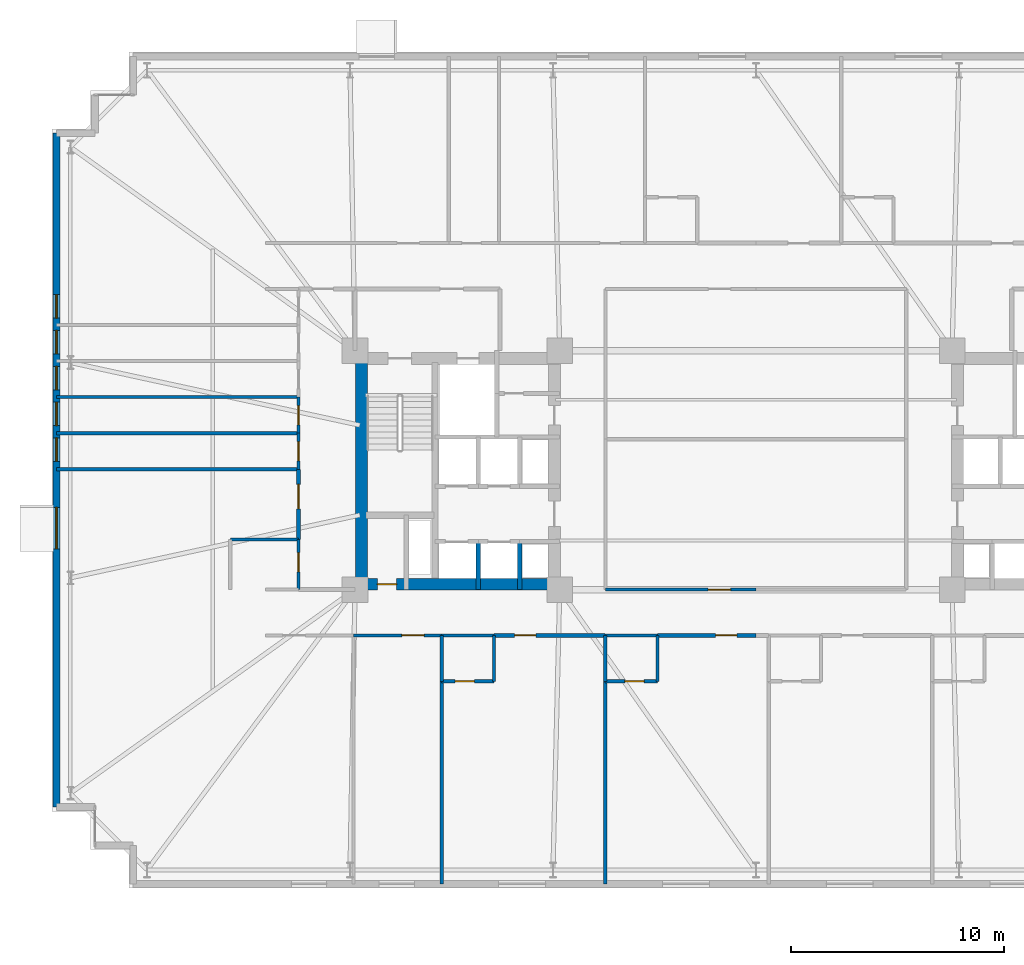
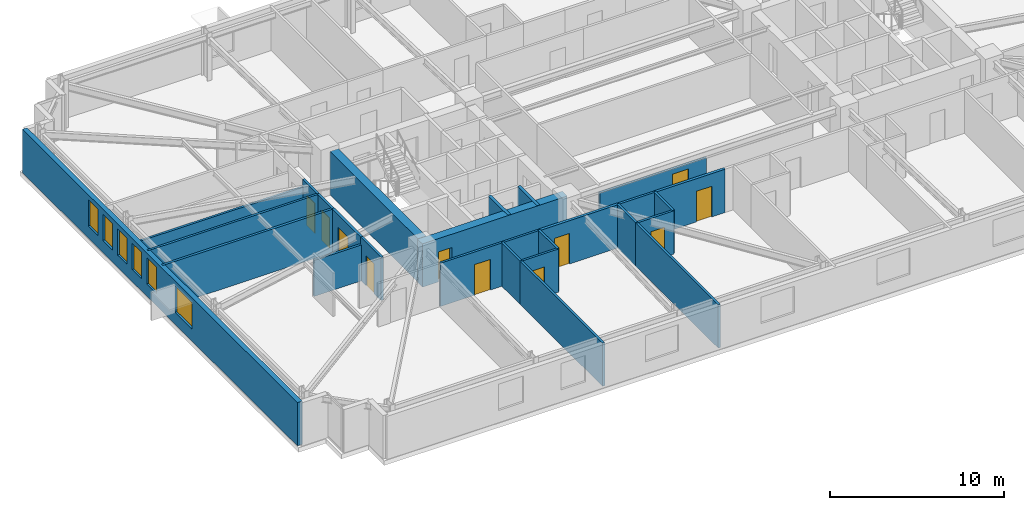
# One storey, part 14 of 21: 27 walls, 11 doors, 6 windows, 17 openings.
"""IFC4 building model written with IfcOpenShell, lengths in metres."""

import ifcopenshell
import ifcopenshell.guid

model = None  # the IFC model being written
_history = None  # IfcOwnerHistory: only IFC2X3 demands one
_inside = {}  # id of a spatial element -> (the spatial element, [elements in it])
_under = {}  # id of a project, library or spatial element -> (it, [spatial elements below it])
_declared = {}  # id of a project -> (the project, [libraries it declares])
_typed = {}  # id of a type object -> (the type object, [elements of that type])
_made_of = {}  # id of a material, layer set ... -> (it, [elements and type objects made of it])


def new_model(schema):
    """Start an empty IFC model of exactly this schema.

    Asked for "IFC4X3", IfcOpenShell would pick the latest addendum, in which some entities
    have other attributes; the version numbers below select the first issue.
    IFC2X3 requires an IfcOwnerHistory on every rooted entity: one is made here for all.
    """
    global model, _history
    if schema == "IFC4X3":
        model = ifcopenshell.file(schema_version=(4, 3, 0, 0))
    else:
        model = ifcopenshell.file(schema=schema)
    _inside.clear()
    _under.clear()
    _declared.clear()
    _typed.clear()
    _made_of.clear()
    _history = None
    if model.schema == "IFC2X3":
        org = make("IfcOrganization", Name="unknown")
        user = make(
            "IfcPersonAndOrganization",
            ThePerson=make("IfcPerson", FamilyName="unknown"),
            TheOrganization=org,
        )
        app = make(
            "IfcApplication",
            ApplicationDeveloper=org,
            Version="unknown",
            ApplicationFullName="unknown",
            ApplicationIdentifier="unknown",
        )
        _history = make(
            "IfcOwnerHistory",
            OwningUser=user,
            OwningApplication=app,
            ChangeAction="ADDED",
            CreationDate=0,
        )
    return model


def make(cls, **values):
    """One entity of the class cls with the attributes given. An attribute that is None is left unset."""
    return model.create_entity(
        cls, **{name: value for name, value in values.items() if value is not None}
    )


def rooted(cls, **values):
    """An entity with a GlobalId (a new one), such as an element, a storey or a relation."""
    return make(cls, GlobalId=ifcopenshell.guid.new(), OwnerHistory=_history, **values)


def si_unit(unit_type, name, prefix=None):
    """IfcSIUnit, for example si_unit("LENGTHUNIT", "METRE", prefix="MILLI")."""
    return make("IfcSIUnit", UnitType=unit_type, Prefix=prefix, Name=name)


def assignment(units):
    """IfcUnitAssignment: the units of a project."""
    return None if units is None else make("IfcUnitAssignment", Units=units)


def point(xyz):
    """IfcCartesianPoint."""
    return None if xyz is None else make("IfcCartesianPoint", Coordinates=xyz)


def direction(xyz):
    """IfcDirection."""
    return None if xyz is None else make("IfcDirection", DirectionRatios=xyz)


def frame(location, z_axis=None, x_axis=None):
    """IfcAxis2Placement3D, a coordinate frame: its origin and axes. An axis left out is left unset."""
    return make(
        "IfcAxis2Placement3D",
        Location=point(location),
        Axis=direction(z_axis),
        RefDirection=direction(x_axis),
    )


def frame_2d(location, x_axis=None):
    """IfcAxis2Placement2D, a coordinate frame in the plane: its origin and x axis."""
    return make(
        "IfcAxis2Placement2D", Location=point(location), RefDirection=direction(x_axis)
    )


def origin():
    """The frame at (0, 0, 0) with its axes left unset."""
    return frame((0.0, 0.0, 0.0))


def place(relative_to, where):
    """IfcLocalPlacement: puts the frame where relative to a parent placement (None: the world)."""
    return make(
        "IfcLocalPlacement", PlacementRelTo=relative_to, RelativePlacement=where
    )


def context(
    kind, dimensions, precision=None, world=None, true_north=None, identifier=None
):
    """IfcGeometricRepresentationContext, for example the 3D "Model" context."""
    return make(
        "IfcGeometricRepresentationContext",
        ContextIdentifier=identifier,
        ContextType=kind,
        CoordinateSpaceDimension=dimensions,
        Precision=precision,
        WorldCoordinateSystem=world,
        TrueNorth=true_north,
    )


def subcontext(parent, identifier, kind, view, scale=None):
    """IfcGeometricRepresentationSubContext, for example "Body" below "Model"."""
    return make(
        "IfcGeometricRepresentationSubContext",
        ContextIdentifier=identifier,
        ContextType=kind,
        ParentContext=parent,
        TargetScale=scale,
        TargetView=view,
    )


def project(units=None, contexts=None):
    """IfcProject with its units and contexts."""
    return rooted(
        "IfcProject",
        Name="project",
        RepresentationContexts=contexts,
        UnitsInContext=assignment(units),
    )


def spatial(cls, under=None, at=None, **own):
    """A site, building, storey or space (cls), placed at a placement, below another one or the project."""
    s = rooted(cls, ObjectPlacement=at, **own)
    if under is not None:
        _under.setdefault(under.id(), (under, []))[1].append(s)
    return s


def profile(cls, at=None, kind="AREA", **sizes):
    """A parametric profile (cls). Its sizes go by their IFC names, for example OverallWidth=200.0."""
    return make(cls, ProfileType=kind, Position=at, **sizes)


def rectangle(**sizes):
    """IfcRectangleProfileDef."""
    return profile("IfcRectangleProfileDef", **sizes)


def extrude(swept, where, along, depth):
    """IfcExtrudedAreaSolid: the profile swept, set in the frame where, extruded along a direction by depth."""
    return make(
        "IfcExtrudedAreaSolid",
        SweptArea=swept,
        Position=where,
        ExtrudedDirection=direction(along),
        Depth=depth,
    )


def shape(context_of_items, identifier, shape_type, items):
    """IfcShapeRepresentation: the items that make up one representation, for example the "Body"."""
    return make(
        "IfcShapeRepresentation",
        ContextOfItems=context_of_items,
        RepresentationIdentifier=identifier,
        RepresentationType=shape_type,
        Items=items,
    )


def material(Name=None, Category=None):
    """IfcMaterial."""
    return make("IfcMaterial", Name=Name, Category=Category)


def layer(
    of_material, thickness, ventilated=None, Name=None, Category=None, Priority=None
):
    """IfcMaterialLayer: one layer of a wall or slab, of a material (None: an air gap)."""
    return make(
        "IfcMaterialLayer",
        Material=of_material,
        LayerThickness=thickness,
        IsVentilated=ventilated,
        Name=Name,
        Category=Category,
        Priority=Priority,
    )


def layer_set(layers, Name=None):
    """IfcMaterialLayerSet."""
    return make("IfcMaterialLayerSet", MaterialLayers=layers, LayerSetName=Name)


def made_of(thing, what):
    """Note that an element or type object is made of a material, layer set ...; save() writes the relation."""
    if what is not None:
        _made_of.setdefault(what.id(), (what, []))[1].append(thing)
    return thing


def type_object(cls, material=None, **own):
    """A type object (cls), such as IfcWallType, which elements share."""
    return made_of(rooted(cls, **own), material)


def element(
    cls,
    number,
    at=None,
    inside=None,
    cuts=None,
    type_object=None,
    material=None,
    context=None,
    identifier="Body",
    shape_type=None,
    held_by="IfcProductDefinitionShape",
    body=None,
    shapes=None,
    **own,
):
    """One element of the class cls, such as IfcWall. Its Tag is "e" and its number.

    at: its placement. inside: the storey or other place that contains it. cuts: it is an
    opening in that element (IfcRelVoidsElement). A single representation is given by context,
    identifier, shape_type and body (its items); several are given by shapes. held_by: the class
    of the entity that holds the representations. save() writes the other relations.
    """
    e = rooted(cls, Tag="e%d" % number, ObjectPlacement=at, **own)
    if body is not None:
        shapes = [shape(context, identifier, shape_type, body)]
    if shapes is not None:
        e.Representation = make(held_by, Representations=shapes)
    if inside is not None:
        _inside.setdefault(inside.id(), (inside, []))[1].append(e)
    if cuts is not None:
        rooted(
            "IfcRelVoidsElement", RelatingBuildingElement=cuts, RelatedOpeningElement=e
        )
    if type_object is not None:
        _typed.setdefault(type_object.id(), (type_object, []))[1].append(e)
    return made_of(e, material)


def fill(opening, filler):
    """IfcRelFillsElement: the door or window that sits in an opening."""
    return rooted(
        "IfcRelFillsElement",
        RelatingOpeningElement=opening,
        RelatedBuildingElement=filler,
    )


def aggregate(whole, parts):
    """IfcRelAggregates: a whole, such as a stair, and the parts it consists of."""
    return rooted("IfcRelAggregates", RelatingObject=whole, RelatedObjects=parts)


def save(model, path):
    """Write the relations noted so far, then the file.

    IfcRelAggregates (storeys below a building ...), IfcRelContainedInSpatialStructure (elements
    in a storey), IfcRelDefinesByType, IfcRelAssociatesMaterial and IfcRelDeclares: one each for
    every whole, place, type object, material and project.
    """
    for whole, parts in _under.values():
        aggregate(whole, parts)
    for where, things in _inside.values():
        rooted(
            "IfcRelContainedInSpatialStructure",
            RelatedElements=things,
            RelatingStructure=where,
        )
    for kind, things in _typed.values():
        rooted("IfcRelDefinesByType", RelatedObjects=things, RelatingType=kind)
    for what, things in _made_of.values():
        rooted("IfcRelAssociatesMaterial", RelatedObjects=things, RelatingMaterial=what)
    for by, libraries in _declared.values():
        rooted("IfcRelDeclares", RelatingContext=by, RelatedDefinitions=libraries)
    model.write(path)


model = new_model("IFC4")

# Units and contexts
model_context = context("Model", 3, precision=1e-05, world=origin(), true_north=direction((0.0, 1.0)))
body_context = subcontext(model_context, "Body", "Model", "MODEL_VIEW")
ifc_project = project(units=[si_unit("LENGTHUNIT", "METRE"), si_unit("AREAUNIT", "SQUARE_METRE"), si_unit("VOLUMEUNIT", "CUBIC_METRE"), si_unit("PLANEANGLEUNIT", "RADIAN"), si_unit("MASSUNIT", "GRAM", prefix="KILO")], contexts=[model_context])

# Site, building, storey
site_placement = place(None, origin())
site = spatial("IfcSite", under=ifc_project, at=site_placement, CompositionType="ELEMENT")
building_placement = place(site_placement, origin())
building = spatial("IfcBuilding", under=site, at=building_placement, Name="Qobustan Lattice House", CompositionType="ELEMENT")
storey_placement = place(building_placement, frame((0.0, 0.0, 40.39990234375)))
storey = spatial("IfcBuildingStorey", under=building, at=storey_placement, Name="L10", CompositionType="ELEMENT", Elevation=40.39990234375)

# Wall, opening, door
ifc_material_1 = material(Name="Concrete C60/75", Category="concrete")
ifc_layer_1 = layer(ifc_material_1, 0.56005859375)
ifc_layer_set_1 = layer_set([ifc_layer_1], Name="Concrete C60/75")
wall_type_1 = type_object("IfcWallType", Name="WAL-CORE-600", PredefinedType="SHEAR", material=ifc_layer_set_1)
wall_1_placement = place(storey_placement, frame((-18.800048828125, -5.35009765625, 0.0), z_axis=(0.0, 0.0, 1.0), x_axis=(1.0, 0.0, 0.0)))
wall_1 = element("IfcWall", 1, at=wall_1_placement, inside=storey, type_object=wall_type_1, Name="L10 split-core shear wall CW-S", PredefinedType="SHEAR", context=body_context, shape_type="SweptSolid", body=[
    extrude(rectangle(XDim=9.60009765625, YDim=0.56005859375, at=frame_2d((4.800048828125, 0.0))), origin(), (0.0, 0.0, 1.0), 3.03515625),
])
opening_1_placement = place(wall_1_placement, frame((1.050048828125, 0.0, 0.0)))
opening_1 = element("IfcOpeningElement", 2, at=opening_1_placement, cuts=wall_1, Name="Opening RD-01", PredefinedType="OPENING", context=body_context, shape_type="SweptSolid", body=[
    extrude(rectangle(XDim=0.89990234375, YDim=2.10009765625, at=frame_2d((0.449951171875, 1.050048828125))), frame((0.0, 0.2900390625, 0.0), z_axis=(0.0, -1.0, 0.0), x_axis=(1.0, 0.0, 0.0)), (0.0, 0.0, 1.0), 0.580078125),
])
ifc_material_2 = material(Name="Persian walnut timber and steel frame door", Category="steel")
door_type_1 = type_object("IfcDoorType", Name="DOR-RISER-FD-900x2100", OperationType="NOTDEFINED", PredefinedType="DOOR", material=ifc_material_2)
door_1_placement = place(opening_1_placement, origin())
door_1 = element("IfcDoor", 3, at=door_1_placement, inside=storey, type_object=door_type_1, Name="L10 core service riser access door W", OperationType="SINGLE_SWING_LEFT", OverallHeight=2.10009765625, OverallWidth=0.89990234375, PredefinedType="DOOR", context=body_context, shape_type="SweptSolid", body=[
    extrude(rectangle(XDim=0.89990234375, YDim=2.10009765625, at=frame_2d((0.449951171875, 1.050048828125))), frame((0.0, 0.02490234375, 0.0), z_axis=(0.0, -1.0, 0.0), x_axis=(1.0, 0.0, 0.0)), (0.0, 0.0, 1.0), 0.050048828125),
])
fill(opening_1, door_1)

# Wall
wall_2_placement = place(storey_placement, frame((-18.489990234375, -5.050048828125, 0.0), z_axis=(0.0, 0.0, 1.0), x_axis=(0.0, 1.0, 0.0)))
element("IfcWall", 4, at=wall_2_placement, inside=storey, type_object=wall_type_1, Name="L10 split-core shear wall CW-W", PredefinedType="SHEAR", context=body_context, shape_type="SweptSolid", body=[
    extrude(rectangle(XDim=10.10009765625, YDim=0.56005859375, at=frame_2d((5.050048828125, 0.0))), origin(), (0.0, 0.0, 1.0), 3.03515625),
])

# Wall, openings, windows
ifc_material_3 = material(Name="Precast concrete C40/50", Category="concrete")
ifc_layer_2 = layer(ifc_material_3, 0.320068359375)
ifc_layer_set_2 = layer_set([ifc_layer_2], Name="Precast concrete C40/50")
wall_type_2 = type_object("IfcWallType", Name="WAL-EXT-STONE-320", PredefinedType="SOLIDWALL", material=ifc_layer_set_2)
wall_3_placement = place(storey_placement, frame((-32.800048828125, -15.800048828125, 0.0), z_axis=(0.0, 0.0, 1.0), x_axis=(0.0, 1.0, 0.0)))
wall_3 = element("IfcWall", 5, at=wall_3_placement, inside=storey, type_object=wall_type_2, Name="L10 exterior limestone-clad wall 5", PredefinedType="SOLIDWALL", context=body_context, shape_type="SweptSolid", body=[
    extrude(rectangle(XDim=31.60009765625, YDim=0.320068359375, at=frame_2d((15.800048828125, 0.0))), origin(), (0.0, 0.0, 1.0), 3.03515625),
])
opening_2_placement = place(wall_3_placement, frame((12.10498046875, 0.0, 0.85009765625)))
opening_2 = element("IfcOpeningElement", 6, at=opening_2_placement, cuts=wall_3, Name="Opening WN-08", PredefinedType="OPENING", context=body_context, shape_type="SweptSolid", body=[
    extrude(rectangle(XDim=1.949951171875, YDim=1.85009765625, at=frame_2d((0.97509765625, 0.925048828125))), frame((0.0, 0.169921875, 0.0), z_axis=(0.0, -1.0, 0.0), x_axis=(1.0, 0.0, 0.0)), (0.0, 0.0, 1.0), 0.340087890625),
])
opening_3_placement = place(wall_3_placement, frame((16.2099609375, 0.0, 0.85009765625)))
opening_3 = element("IfcOpeningElement", 7, at=opening_3_placement, cuts=wall_3, Name="Opening WN-04", PredefinedType="OPENING", context=body_context, shape_type="SweptSolid", body=[
    extrude(rectangle(XDim=1.10009765625, YDim=1.85009765625, at=frame_2d((0.550048828125, 0.925048828125))), frame((0.0, 0.169921875, 0.0), z_axis=(0.0, -1.0, 0.0), x_axis=(1.0, 0.0, 0.0)), (0.0, 0.0, 1.0), 0.340087890625),
])
opening_4_placement = place(wall_3_placement, frame((17.889892578125, 0.0, 0.85009765625)))
opening_4 = element("IfcOpeningElement", 8, at=opening_4_placement, cuts=wall_3, Name="Opening WN-04", PredefinedType="OPENING", context=body_context, shape_type="SweptSolid", body=[
    extrude(rectangle(XDim=1.10009765625, YDim=1.85009765625, at=frame_2d((0.550048828125, 0.925048828125))), frame((0.0, 0.169921875, 0.0), z_axis=(0.0, -1.0, 0.0), x_axis=(1.0, 0.0, 0.0)), (0.0, 0.0, 1.0), 0.340087890625),
])
opening_5_placement = place(wall_3_placement, frame((19.570068359375, 0.0, 0.85009765625)))
opening_5 = element("IfcOpeningElement", 9, at=opening_5_placement, cuts=wall_3, Name="Opening WN-04", PredefinedType="OPENING", context=body_context, shape_type="SweptSolid", body=[
    extrude(rectangle(XDim=1.10009765625, YDim=1.85009765625, at=frame_2d((0.550048828125, 0.925048828125))), frame((0.0, 0.169921875, 0.0), z_axis=(0.0, -1.0, 0.0), x_axis=(1.0, 0.0, 0.0)), (0.0, 0.0, 1.0), 0.340087890625),
])
opening_6_placement = place(wall_3_placement, frame((21.25, 0.0, 0.85009765625)))
opening_6 = element("IfcOpeningElement", 10, at=opening_6_placement, cuts=wall_3, Name="Opening WN-04", PredefinedType="OPENING", context=body_context, shape_type="SweptSolid", body=[
    extrude(rectangle(XDim=1.10009765625, YDim=1.85009765625, at=frame_2d((0.550048828125, 0.925048828125))), frame((0.0, 0.169921875, 0.0), z_axis=(0.0, -1.0, 0.0), x_axis=(1.0, 0.0, 0.0)), (0.0, 0.0, 1.0), 0.340087890625),
])
opening_7_placement = place(wall_3_placement, frame((22.929931640625, 0.0, 0.85009765625)))
opening_7 = element("IfcOpeningElement", 11, at=opening_7_placement, cuts=wall_3, Name="Opening WN-04", PredefinedType="OPENING", context=body_context, shape_type="SweptSolid", body=[
    extrude(rectangle(XDim=1.10009765625, YDim=1.85009765625, at=frame_2d((0.550048828125, 0.925048828125))), frame((0.0, 0.169921875, 0.0), z_axis=(0.0, -1.0, 0.0), x_axis=(1.0, 0.0, 0.0)), (0.0, 0.0, 1.0), 0.340087890625),
])
ifc_material_4 = material(Name="Double-glazed low-E aluminium window", Category="aluminium")
window_type_1 = type_object("IfcWindowType", Name="WIN-KIT-1950x1850", PartitioningType="SINGLE_PANEL", PredefinedType="WINDOW", material=ifc_material_4)
window_1_placement = place(opening_2_placement, origin())
window_1 = element("IfcWindow", 12, at=window_1_placement, inside=storey, type_object=window_type_1, Name="L10 Shared kitchen L10W window", OverallHeight=1.85009765625, OverallWidth=1.949951171875, PartitioningType="SINGLE_PANEL", PredefinedType="WINDOW", context=body_context, shape_type="SweptSolid", body=[
    extrude(rectangle(XDim=1.949951171875, YDim=1.85009765625, at=frame_2d((0.97509765625, 0.925048828125))), frame((0.0, 0.030029296875, 0.0), z_axis=(0.0, -1.0, 0.0), x_axis=(1.0, 0.0, 0.0)), (0.0, 0.0, 1.0), 0.06005859375),
])
fill(opening_2, window_1)
ifc_material_5 = material(Name="Double-glazed low-E aluminium window", Category="aluminium")
window_type_2 = type_object("IfcWindowType", Name="WIN-NAR-1100x1850", PartitioningType="SINGLE_PANEL", PredefinedType="WINDOW", material=ifc_material_5)
window_2_placement = place(opening_3_placement, origin())
window_2 = element("IfcWindow", 13, at=window_2_placement, inside=storey, type_object=window_type_2, Name="L10 Cluster bedroom L10W1 window", OverallHeight=1.85009765625, OverallWidth=1.10009765625, PartitioningType="SINGLE_PANEL", PredefinedType="WINDOW", context=body_context, shape_type="SweptSolid", body=[
    extrude(rectangle(XDim=1.10009765625, YDim=1.85009765625, at=frame_2d((0.550048828125, 0.925048828125))), frame((0.0, 0.030029296875, 0.0), z_axis=(0.0, -1.0, 0.0), x_axis=(1.0, 0.0, 0.0)), (0.0, 0.0, 1.0), 0.06005859375),
])
fill(opening_3, window_2)
window_3_placement = place(opening_4_placement, origin())
window_3 = element("IfcWindow", 14, at=window_3_placement, inside=storey, type_object=window_type_2, Name="L10 Cluster bedroom L10W2 window", OverallHeight=1.85009765625, OverallWidth=1.10009765625, PartitioningType="SINGLE_PANEL", PredefinedType="WINDOW", context=body_context, shape_type="SweptSolid", body=[
    extrude(rectangle(XDim=1.10009765625, YDim=1.85009765625, at=frame_2d((0.550048828125, 0.925048828125))), frame((0.0, 0.030029296875, 0.0), z_axis=(0.0, -1.0, 0.0), x_axis=(1.0, 0.0, 0.0)), (0.0, 0.0, 1.0), 0.06005859375),
])
fill(opening_4, window_3)
window_4_placement = place(opening_5_placement, origin())
window_4 = element("IfcWindow", 15, at=window_4_placement, inside=storey, type_object=window_type_2, Name="L10 Cluster bedroom L10W3 window", OverallHeight=1.85009765625, OverallWidth=1.10009765625, PartitioningType="SINGLE_PANEL", PredefinedType="WINDOW", context=body_context, shape_type="SweptSolid", body=[
    extrude(rectangle(XDim=1.10009765625, YDim=1.85009765625, at=frame_2d((0.550048828125, 0.925048828125))), frame((0.0, 0.030029296875, 0.0), z_axis=(0.0, -1.0, 0.0), x_axis=(1.0, 0.0, 0.0)), (0.0, 0.0, 1.0), 0.06005859375),
])
fill(opening_5, window_4)
window_5_placement = place(opening_6_placement, origin())
window_5 = element("IfcWindow", 16, at=window_5_placement, inside=storey, type_object=window_type_2, Name="L10 Cluster bedroom L10W4 window", OverallHeight=1.85009765625, OverallWidth=1.10009765625, PartitioningType="SINGLE_PANEL", PredefinedType="WINDOW", context=body_context, shape_type="SweptSolid", body=[
    extrude(rectangle(XDim=1.10009765625, YDim=1.85009765625, at=frame_2d((0.550048828125, 0.925048828125))), frame((0.0, 0.030029296875, 0.0), z_axis=(0.0, -1.0, 0.0), x_axis=(1.0, 0.0, 0.0)), (0.0, 0.0, 1.0), 0.06005859375),
])
fill(opening_6, window_5)
window_6_placement = place(opening_7_placement, origin())
window_6 = element("IfcWindow", 17, at=window_6_placement, inside=storey, type_object=window_type_2, Name="L10 Cluster bedroom L10W5 window", OverallHeight=1.85009765625, OverallWidth=1.10009765625, PartitioningType="SINGLE_PANEL", PredefinedType="WINDOW", context=body_context, shape_type="SweptSolid", body=[
    extrude(rectangle(XDim=1.10009765625, YDim=1.85009765625, at=frame_2d((0.550048828125, 0.925048828125))), frame((0.0, 0.030029296875, 0.0), z_axis=(0.0, -1.0, 0.0), x_axis=(1.0, 0.0, 0.0)), (0.0, 0.0, 1.0), 0.06005859375),
])
fill(opening_7, window_6)

# Wall, opening, door
ifc_material_6 = material(Name="Gypsum fireboard acoustic partition", Category="gypsum")
ifc_layer_3 = layer(ifc_material_6, 0.179931640625)
ifc_layer_set_3 = layer_set([ifc_layer_3], Name="Gypsum fireboard acoustic partition")
wall_type_3 = type_object("IfcWallType", Name="WAL-FIRE-180", PredefinedType="PARTITIONING", material=ifc_layer_set_3)
wall_4_placement = place(storey_placement, frame((-7.06689453125, -7.75, 0.0), z_axis=(0.0, 0.0, 1.0), x_axis=(-1.0, 0.0, 0.0)))
wall_4 = element("IfcWall", 18, at=wall_4_placement, inside=storey, type_object=wall_type_3, Name="L10 interior partition 58", PredefinedType="PARTITIONING", context=body_context, shape_type="SweptSolid", body=[
    extrude(rectangle(XDim=5.216064453125, YDim=0.179931640625, at=frame_2d((2.60791015625, 0.0))), origin(), (0.0, 0.0, 1.0), 3.03515625),
])
opening_8_placement = place(wall_4_placement, frame((3.25390625, 0.0, 0.0)))
opening_8 = element("IfcOpeningElement", 19, at=opening_8_placement, cuts=wall_4, Name="Opening FD-02", PredefinedType="OPENING", context=body_context, shape_type="SweptSolid", body=[
    extrude(rectangle(XDim=1.0, YDim=2.14990234375, at=frame_2d((0.5, 1.074951171875))), frame((0.0, 0.099853515625, 0.0), z_axis=(0.0, -1.0, 0.0), x_axis=(1.0, 0.0, 0.0)), (0.0, 0.0, 1.0), 0.199951171875),
])
ifc_material_7 = material(Name="Persian walnut timber and steel frame door", Category="steel")
door_type_2 = type_object("IfcDoorType", Name="DOR-UNIT-FD-1000x2150", OperationType="NOTDEFINED", PredefinedType="DOOR", material=ifc_material_7)
door_2_placement = place(opening_8_placement, origin())
door_2 = element("IfcDoor", 20, at=door_2_placement, inside=storey, type_object=door_type_2, Name="L10 South-west floor corridor to Kitchenette and studio apartment L10-S2 door", OperationType="SINGLE_SWING_RIGHT", OverallHeight=2.14990234375, OverallWidth=1.0, PredefinedType="DOOR", context=body_context, shape_type="SweptSolid", body=[
    extrude(rectangle(XDim=1.0, YDim=2.14990234375, at=frame_2d((0.5, 1.074951171875))), frame((0.0, 0.02490234375, 0.0), z_axis=(0.0, -1.0, 0.0), x_axis=(1.0, 0.0, 0.0)), (0.0, 0.0, 1.0), 0.050048828125),
])
fill(opening_8, door_2)

wall_5_placement = place(storey_placement, frame((0.0, -7.75, 0.0), z_axis=(0.0, 0.0, 1.0), x_axis=(-1.0, 0.0, 0.0)))
wall_5 = element("IfcWall", 21, at=wall_5_placement, inside=storey, type_object=wall_type_3, Name="L10 interior partition 60", PredefinedType="PARTITIONING", context=body_context, shape_type="SweptSolid", body=[
    extrude(rectangle(XDim=4.616943359375, YDim=0.179931640625, at=frame_2d((2.30859375, 0.0))), origin(), (0.0, 0.0, 1.0), 3.03515625),
])
opening_9_placement = place(wall_5_placement, frame((0.88720703125, 0.0, 0.0)))
opening_9 = element("IfcOpeningElement", 22, at=opening_9_placement, cuts=wall_5, Name="Opening FD-02", PredefinedType="OPENING", context=body_context, shape_type="SweptSolid", body=[
    extrude(rectangle(XDim=1.0, YDim=2.14990234375, at=frame_2d((0.5, 1.074951171875))), frame((0.0, 0.099853515625, 0.0), z_axis=(0.0, -1.0, 0.0), x_axis=(1.0, 0.0, 0.0)), (0.0, 0.0, 1.0), 0.199951171875),
])
door_3_placement = place(opening_9_placement, origin())
door_3 = element("IfcDoor", 23, at=door_3_placement, inside=storey, type_object=door_type_2, Name="L10 South-west floor corridor to Kitchenette and studio apartment L10-S3 door", OperationType="SINGLE_SWING_LEFT", OverallHeight=2.14990234375, OverallWidth=1.0, PredefinedType="DOOR", context=body_context, shape_type="SweptSolid", body=[
    extrude(rectangle(XDim=1.0, YDim=2.14990234375, at=frame_2d((0.5, 1.074951171875))), frame((0.0, 0.02490234375, 0.0), z_axis=(0.0, -1.0, 0.0), x_axis=(1.0, 0.0, 0.0)), (0.0, 0.0, 1.0), 0.050048828125),
])
fill(opening_9, door_3)

ifc_material_8 = material(Name="Acoustic twin-stud gypsum partition", Category="gypsum")
ifc_layer_4 = layer(ifc_material_8, 0.14990234375)
ifc_layer_set_4 = layer_set([ifc_layer_4], Name="Acoustic twin-stud gypsum partition")
wall_type_4 = type_object("IfcWallType", Name="WAL-PART-150", PredefinedType="PARTITIONING", material=ifc_layer_set_4)
wall_6_placement = place(storey_placement, frame((-14.73291015625, -7.75, 0.0), z_axis=(0.0, 0.0, 1.0), x_axis=(-1.0, 0.0, 0.0)))
wall_6 = element("IfcWall", 24, at=wall_6_placement, inside=storey, type_object=wall_type_4, Name="L10 interior partition 57", PredefinedType="PARTITIONING", context=body_context, shape_type="SweptSolid", body=[
    extrude(rectangle(XDim=4.133544921875, YDim=0.14990234375, at=frame_2d((2.06689453125, 0.0))), origin(), (0.0, 0.0, 1.0), 3.03515625),
])
opening_10_placement = place(wall_6_placement, frame((0.8203125, 0.0, 0.0)))
opening_10 = element("IfcOpeningElement", 25, at=opening_10_placement, cuts=wall_6, Name="Opening ID-02", PredefinedType="OPENING", context=body_context, shape_type="SweptSolid", body=[
    extrude(rectangle(XDim=1.050048828125, YDim=2.14990234375, at=frame_2d((0.52490234375, 1.074951171875))), frame((0.0, 0.0849609375, 0.0), z_axis=(0.0, -1.0, 0.0), x_axis=(1.0, 0.0, 0.0)), (0.0, 0.0, 1.0), 0.169921875),
])
ifc_material_9 = material(Name="Persian walnut timber and steel frame door", Category="steel")
door_type_3 = type_object("IfcDoorType", Name="DOR-STUDY-1050x2150", OperationType="NOTDEFINED", PredefinedType="DOOR", material=ifc_material_9)
door_4_placement = place(opening_10_placement, origin())
door_4 = element("IfcDoor", 26, at=door_4_placement, inside=storey, type_object=door_type_3, Name="L10 South-west floor corridor to Focus study room S1B door", OperationType="SINGLE_SWING_LEFT", OverallHeight=2.14990234375, OverallWidth=1.050048828125, PredefinedType="DOOR", context=body_context, shape_type="SweptSolid", body=[
    extrude(rectangle(XDim=1.050048828125, YDim=2.14990234375, at=frame_2d((0.52490234375, 1.074951171875))), frame((0.0, 0.02490234375, 0.0), z_axis=(0.0, -1.0, 0.0), x_axis=(1.0, 0.0, 0.0)), (0.0, 0.0, 1.0), 0.050048828125),
])
fill(opening_10, door_4)

wall_7_placement = place(storey_placement, frame((-7.050048828125, -5.60009765625, 0.0), z_axis=(0.0, 0.0, 1.0), x_axis=(1.0, 0.0, 0.0)))
wall_7 = element("IfcWall", 27, at=wall_7_placement, inside=storey, type_object=wall_type_4, Name="L10 interior partition 62", PredefinedType="PARTITIONING", context=body_context, shape_type="SweptSolid", body=[
    extrude(rectangle(XDim=7.050048828125, YDim=0.14990234375, at=frame_2d((3.52490234375, 0.0))), origin(), (0.0, 0.0, 1.0), 2.52001953125),
])
opening_11_placement = place(wall_7_placement, frame((4.81494140625, 0.0, 0.0)))
opening_11 = element("IfcOpeningElement", 28, at=opening_11_placement, cuts=wall_7, Name="Opening ID-02", PredefinedType="OPENING", context=body_context, shape_type="SweptSolid", body=[
    extrude(rectangle(XDim=1.050048828125, YDim=2.14990234375, at=frame_2d((0.52490234375, 1.074951171875))), frame((0.0, 0.0849609375, 0.0), z_axis=(0.0, -1.0, 0.0), x_axis=(1.0, 0.0, 0.0)), (0.0, 0.0, 1.0), 0.169921875),
])
door_5_placement = place(opening_11_placement, origin())
door_5 = element("IfcDoor", 29, at=door_5_placement, inside=storey, type_object=door_type_3, Name="L10 South-west floor corridor to Academic seminar room door", OperationType="SINGLE_SWING_RIGHT", OverallHeight=2.14990234375, OverallWidth=1.050048828125, PredefinedType="DOOR", context=body_context, shape_type="SweptSolid", body=[
    extrude(rectangle(XDim=1.050048828125, YDim=2.14990234375, at=frame_2d((0.52490234375, 1.074951171875))), frame((0.0, 0.02490234375, 0.0), z_axis=(0.0, -1.0, 0.0), x_axis=(1.0, 0.0, 0.0)), (0.0, 0.0, 1.0), 0.050048828125),
])
fill(opening_11, door_5)

wall_8_placement = place(storey_placement, frame((-21.449951171875, 0.0400390625, 0.0), z_axis=(0.0, 0.0, 1.0), x_axis=(0.0, 1.0, 0.0)))
wall_8 = element("IfcWall", 30, at=wall_8_placement, inside=storey, type_object=wall_type_4, Name="L10 interior partition 80", PredefinedType="PARTITIONING", context=body_context, shape_type="SweptSolid", body=[
    extrude(rectangle(XDim=1.69189453125, YDim=0.14990234375, at=frame_2d((0.845947265625, 0.0))), origin(), (0.0, 0.0, 1.0), 3.03515625),
])
opening_12_placement = place(wall_8_placement, frame((0.39599609375, 0.0, 0.0)))
opening_12 = element("IfcOpeningElement", 31, at=opening_12_placement, cuts=wall_8, Name="Opening WD-01", PredefinedType="OPENING", context=body_context, shape_type="SweptSolid", body=[
    extrude(rectangle(XDim=0.89990234375, YDim=2.10009765625, at=frame_2d((0.449951171875, 1.050048828125))), frame((0.0, 0.0849609375, 0.0), z_axis=(0.0, -1.0, 0.0), x_axis=(1.0, 0.0, 0.0)), (0.0, 0.0, 1.0), 0.169921875),
])
ifc_material_10 = material(Name="Persian walnut timber and steel frame door", Category="steel")
door_type_4 = type_object("IfcDoorType", Name="DOR-WET-900x2100", OperationType="NOTDEFINED", PredefinedType="DOOR", material=ifc_material_10)
door_6_placement = place(opening_12_placement, origin())
door_6 = element("IfcDoor", 32, at=door_6_placement, inside=storey, type_object=door_type_4, Name="L10 Residence entrance hall L10W to Cluster bedroom L10W1 door", OperationType="SINGLE_SWING_LEFT", OverallHeight=2.10009765625, OverallWidth=0.89990234375, PredefinedType="DOOR", context=body_context, shape_type="SweptSolid", body=[
    extrude(rectangle(XDim=0.89990234375, YDim=2.10009765625, at=frame_2d((0.449951171875, 1.050048828125))), frame((0.0, 0.02490234375, 0.0), z_axis=(0.0, -1.0, 0.0), x_axis=(1.0, 0.0, 0.0)), (0.0, 0.0, 1.0), 0.050048828125),
])
fill(opening_12, door_6)

wall_9_placement = place(storey_placement, frame((-21.449951171875, 1.73193359375, 0.0), z_axis=(0.0, 0.0, 1.0), x_axis=(0.0, 1.0, 0.0)))
wall_9 = element("IfcWall", 33, at=wall_9_placement, inside=storey, type_object=wall_type_4, Name="L10 interior partition 81", PredefinedType="PARTITIONING", context=body_context, shape_type="SweptSolid", body=[
    extrude(rectangle(XDim=1.692138671875, YDim=0.14990234375, at=frame_2d((0.84619140625, 0.0))), origin(), (0.0, 0.0, 1.0), 3.03515625),
])
opening_13_placement = place(wall_9_placement, frame((0.39599609375, 0.0, 0.0)))
opening_13 = element("IfcOpeningElement", 34, at=opening_13_placement, cuts=wall_9, Name="Opening WD-01", PredefinedType="OPENING", context=body_context, shape_type="SweptSolid", body=[
    extrude(rectangle(XDim=0.89990234375, YDim=2.10009765625, at=frame_2d((0.449951171875, 1.050048828125))), frame((0.0, 0.0849609375, 0.0), z_axis=(0.0, -1.0, 0.0), x_axis=(1.0, 0.0, 0.0)), (0.0, 0.0, 1.0), 0.169921875),
])
door_7_placement = place(opening_13_placement, origin())
door_7 = element("IfcDoor", 35, at=door_7_placement, inside=storey, type_object=door_type_4, Name="L10 Residence entrance hall L10W to Cluster bedroom L10W2 door", OperationType="SINGLE_SWING_RIGHT", OverallHeight=2.10009765625, OverallWidth=0.89990234375, PredefinedType="DOOR", context=body_context, shape_type="SweptSolid", body=[
    extrude(rectangle(XDim=0.89990234375, YDim=2.10009765625, at=frame_2d((0.449951171875, 1.050048828125))), frame((0.0, 0.02490234375, 0.0), z_axis=(0.0, -1.0, 0.0), x_axis=(1.0, 0.0, 0.0)), (0.0, 0.0, 1.0), 0.050048828125),
])
fill(opening_13, door_7)

# Walls
wall_10_placement = place(storey_placement, frame((-32.800048828125, 1.73193359375, 0.0), z_axis=(0.0, 0.0, 1.0), x_axis=(1.0, 0.0, 0.0)))
element("IfcWall", 36, at=wall_10_placement, inside=storey, type_object=wall_type_4, Name="L10 interior partition 88", PredefinedType="PARTITIONING", context=body_context, shape_type="SweptSolid", body=[
    extrude(rectangle(XDim=11.35009765625, YDim=0.14990234375, at=frame_2d((5.675048828125, 0.0))), origin(), (0.0, 0.0, 1.0), 3.03515625),
])
wall_11_placement = place(storey_placement, frame((-32.800048828125, 3.424072265625, 0.0), z_axis=(0.0, 0.0, 1.0), x_axis=(1.0, 0.0, 0.0)))
element("IfcWall", 37, at=wall_11_placement, inside=storey, type_object=wall_type_4, Name="L10 interior partition 89", PredefinedType="PARTITIONING", context=body_context, shape_type="SweptSolid", body=[
    extrude(rectangle(XDim=11.35009765625, YDim=0.14990234375, at=frame_2d((5.675048828125, 0.0))), origin(), (0.0, 0.0, 1.0), 2.52001953125),
])
for number, where, z_axis, x_axis, name in (
    (38, (-14.73291015625, -9.89990234375, 0.0), (0.0, 0.0, 1.0), (0.0, -1.0, 0.0), "L10 interior partition 115"),
    (39, (-7.06689453125, -9.89990234375, 0.0), (0.0, 0.0, 1.0), (0.0, -1.0, 0.0), "L10 interior partition 119"),
):
    element("IfcWall", number, at=place(storey_placement, frame(where, z_axis=z_axis, x_axis=x_axis)), inside=storey, type_object=wall_type_4, Name=name, PredefinedType="PARTITIONING", context=body_context, shape_type="SweptSolid", body=[
        extrude(rectangle(XDim=9.5, YDim=0.14990234375, at=frame_2d((4.75, 0.0))), origin(), (0.0, 0.0, 1.0), 3.03515625),
    ])

# Wall, opening, door
ifc_material_11 = material(Name="High-mass acoustic twin-stud partition", Category="gypsum")
ifc_layer_5 = layer(ifc_material_11, 0.1650390625)
ifc_layer_set_5 = layer_set([ifc_layer_5], Name="High-mass acoustic twin-stud partition")
wall_type_5 = type_object("IfcWallType", Name="WAL-PART-165", PredefinedType="PARTITIONING", material=ifc_layer_set_5)
wall_12_placement = place(storey_placement, frame((-21.449951171875, -3.25, 0.0), z_axis=(0.0, 0.0, 1.0), x_axis=(0.0, 1.0, 0.0)))
wall_12 = element("IfcWall", 40, at=wall_12_placement, inside=storey, type_object=wall_type_5, Name="L10 interior partition 79", PredefinedType="PARTITIONING", context=body_context, shape_type="SweptSolid", body=[
    extrude(rectangle(XDim=3.2900390625, YDim=0.1650390625, at=frame_2d((1.64501953125, 0.0))), origin(), (0.0, 0.0, 1.0), 3.03515625),
])
opening_14_placement = place(wall_12_placement, frame((1.4375, 0.0, 0.0)))
opening_14 = element("IfcOpeningElement", 41, at=opening_14_placement, cuts=wall_12, Name="Opening ID-03", PredefinedType="OPENING", context=body_context, shape_type="SweptSolid", body=[
    extrude(rectangle(XDim=1.14990234375, YDim=2.14990234375, at=frame_2d((0.574951171875, 1.074951171875))), frame((0.0, 0.092529296875, 0.0), z_axis=(0.0, -1.0, 0.0), x_axis=(1.0, 0.0, 0.0)), (0.0, 0.0, 1.0), 0.18505859375),
])
ifc_material_12 = material(Name="Persian walnut timber and steel frame door", Category="steel")
door_type_5 = type_object("IfcDoorType", Name="DOR-KITCH-1150x2150", OperationType="NOTDEFINED", PredefinedType="DOOR", material=ifc_material_12)
door_8_placement = place(opening_14_placement, origin())
door_8 = element("IfcDoor", 42, at=door_8_placement, inside=storey, type_object=door_type_5, Name="L10 Residence entrance hall L10W to Shared kitchen L10W door", OperationType="SINGLE_SWING_RIGHT", OverallHeight=2.14990234375, OverallWidth=1.14990234375, PredefinedType="DOOR", context=body_context, shape_type="SweptSolid", body=[
    extrude(rectangle(XDim=1.14990234375, YDim=2.14990234375, at=frame_2d((0.574951171875, 1.074951171875))), frame((0.0, 0.02490234375, 0.0), z_axis=(0.0, -1.0, 0.0), x_axis=(1.0, 0.0, 0.0)), (0.0, 0.0, 1.0), 0.050048828125),
])
fill(opening_14, door_8)

# Walls
wall_13_placement = place(storey_placement, frame((-32.800048828125, 0.0400390625, 0.0), z_axis=(0.0, 0.0, 1.0), x_axis=(1.0, 0.0, 0.0)))
element("IfcWall", 43, at=wall_13_placement, inside=storey, type_object=wall_type_5, Name="L10 interior partition 87", PredefinedType="PARTITIONING", context=body_context, shape_type="SweptSolid", body=[
    extrude(rectangle(XDim=11.35009765625, YDim=0.1650390625, at=frame_2d((5.675048828125, 0.0))), origin(), (0.0, 0.0, 1.0), 3.03515625),
])
ifc_material_13 = material(Name="Concrete C40/50", Category="concrete")
ifc_layer_6 = layer(ifc_material_13, 0.199951171875)
ifc_layer_set_6 = layer_set([ifc_layer_6], Name="Concrete C40/50")
wall_type_6 = type_object("IfcWallType", Name="WAL-SHAFT-200", PredefinedType="PARTITIONING", material=ifc_layer_set_6)
for number, where, z_axis, x_axis, name in (
    (44, (-13.02001953125, -5.60009765625, 0.0), (0.0, 0.0, 1.0), (0.0, 1.0, 0.0), "L10 interior partition 16"),
    (45, (-11.080078125, -5.60009765625, 0.0), (0.0, 0.0, 1.0), (0.0, 1.0, 0.0), "L10 interior partition 17"),
):
    element("IfcWall", number, at=place(storey_placement, frame(where, z_axis=z_axis, x_axis=x_axis)), inside=storey, type_object=wall_type_6, Name=name, PredefinedType="PARTITIONING", context=body_context, shape_type="SweptSolid", body=[
        extrude(rectangle(XDim=2.25, YDim=0.199951171875, at=frame_2d((1.125, 0.0))), origin(), (0.0, 0.0, 1.0), 3.03515625),
    ])
ifc_material_14 = material(Name="Moisture-resistant acoustic plumbing wall", Category="gypsum")
ifc_layer_7 = layer(ifc_material_14, 0.14990234375)
ifc_layer_set_7 = layer_set([ifc_layer_7], Name="Moisture-resistant acoustic plumbing wall")
wall_type_7 = type_object("IfcWallType", Name="WAL-WET-150", PredefinedType="PLUMBINGWALL", material=ifc_layer_set_7)
for number, where, z_axis, x_axis, name in (
    (46, (-12.282958984375, -7.75, 0.0), (0.0, 0.0, 1.0), (-1.0, 0.0, 0.0), "L10 interior partition 59"),
    (47, (-4.616943359375, -7.75, 0.0), (0.0, 0.0, 1.0), (-1.0, 0.0, 0.0), "L10 interior partition 61"),
):
    element("IfcWall", number, at=place(storey_placement, frame(where, z_axis=z_axis, x_axis=x_axis)), inside=storey, type_object=wall_type_7, Name=name, PredefinedType="PLUMBINGWALL", context=body_context, shape_type="SweptSolid", body=[
        extrude(rectangle(XDim=2.449951171875, YDim=0.14990234375, at=frame_2d((1.22509765625, 0.0))), origin(), (0.0, 0.0, 1.0), 3.03515625),
    ])

# Wall, opening, door
wall_14_placement = place(storey_placement, frame((-21.449951171875, -5.60009765625, 0.0), z_axis=(0.0, 0.0, 1.0), x_axis=(0.0, 1.0, 0.0)))
wall_14 = element("IfcWall", 48, at=wall_14_placement, inside=storey, type_object=wall_type_7, Name="L10 interior partition 78", PredefinedType="PLUMBINGWALL", context=body_context, shape_type="SweptSolid", body=[
    extrude(rectangle(XDim=2.35009765625, YDim=0.14990234375, at=frame_2d((1.175048828125, 0.0))), origin(), (0.0, 0.0, 1.0), 3.03515625),
])
opening_15_placement = place(wall_14_placement, frame((0.833740234375, 0.0, 0.0)))
opening_15 = element("IfcOpeningElement", 49, at=opening_15_placement, cuts=wall_14, Name="Opening WD-01", PredefinedType="OPENING", context=body_context, shape_type="SweptSolid", body=[
    extrude(rectangle(XDim=0.89990234375, YDim=2.10009765625, at=frame_2d((0.449951171875, 1.050048828125))), frame((0.0, 0.0849609375, 0.0), z_axis=(0.0, -1.0, 0.0), x_axis=(1.0, 0.0, 0.0)), (0.0, 0.0, 1.0), 0.169921875),
])
door_9_placement = place(opening_15_placement, origin())
door_9 = element("IfcDoor", 50, at=door_9_placement, inside=storey, type_object=door_type_4, Name="L10 Residence entrance hall L10W to Shared bathroom L10W door", OperationType="SINGLE_SWING_LEFT", OverallHeight=2.10009765625, OverallWidth=0.89990234375, PredefinedType="DOOR", context=body_context, shape_type="SweptSolid", body=[
    extrude(rectangle(XDim=0.89990234375, YDim=2.10009765625, at=frame_2d((0.449951171875, 1.050048828125))), frame((0.0, 0.02490234375, 0.0), z_axis=(0.0, -1.0, 0.0), x_axis=(1.0, 0.0, 0.0)), (0.0, 0.0, 1.0), 0.050048828125),
])
fill(opening_15, door_9)

# Walls
wall_15_placement = place(storey_placement, frame((-24.64990234375, -3.25, 0.0), z_axis=(0.0, 0.0, 1.0), x_axis=(1.0, 0.0, 0.0)))
element("IfcWall", 51, at=wall_15_placement, inside=storey, type_object=wall_type_7, Name="L10 interior partition 85", PredefinedType="PLUMBINGWALL", context=body_context, shape_type="SweptSolid", body=[
    extrude(rectangle(XDim=3.199951171875, YDim=0.14990234375, at=frame_2d((1.60009765625, 0.0))), origin(), (0.0, 0.0, 1.0), 2.52001953125),
])
wall_16_placement = place(storey_placement, frame((-14.73291015625, -7.75, 0.0), z_axis=(0.0, 0.0, 1.0), x_axis=(0.0, -1.0, 0.0)))
element("IfcWall", 52, at=wall_16_placement, inside=storey, type_object=wall_type_7, Name="L10 interior partition 116", PredefinedType="PLUMBINGWALL", context=body_context, shape_type="SweptSolid", body=[
    extrude(rectangle(XDim=2.14990234375, YDim=0.14990234375, at=frame_2d((1.074951171875, 0.0))), origin(), (0.0, 0.0, 1.0), 3.03515625),
])

# Wall, opening, door
wall_17_placement = place(storey_placement, frame((-14.73291015625, -9.89990234375, 0.0), z_axis=(0.0, 0.0, 1.0), x_axis=(1.0, 0.0, 0.0)))
wall_17 = element("IfcWall", 53, at=wall_17_placement, inside=storey, type_object=wall_type_7, Name="L10 interior partition 117", PredefinedType="PLUMBINGWALL", context=body_context, shape_type="SweptSolid", body=[
    extrude(rectangle(XDim=2.449951171875, YDim=0.14990234375, at=frame_2d((1.22509765625, 0.0))), origin(), (0.0, 0.0, 1.0), 3.03515625),
])
opening_16_placement = place(wall_17_placement, frame((0.62890625, 0.0, 0.0)))
opening_16 = element("IfcOpeningElement", 54, at=opening_16_placement, cuts=wall_17, Name="Opening WD-01", PredefinedType="OPENING", context=body_context, shape_type="SweptSolid", body=[
    extrude(rectangle(XDim=0.89990234375, YDim=2.10009765625, at=frame_2d((0.449951171875, 1.050048828125))), frame((0.0, 0.0849609375, 0.0), z_axis=(0.0, -1.0, 0.0), x_axis=(1.0, 0.0, 0.0)), (0.0, 0.0, 1.0), 0.169921875),
])
door_10_placement = place(opening_16_placement, origin())
door_10 = element("IfcDoor", 55, at=door_10_placement, inside=storey, type_object=door_type_4, Name="L10 Kitchenette and studio apartment L10-S2 to En-suite bathroom L10-S2 door", OperationType="SINGLE_SWING_LEFT", OverallHeight=2.10009765625, OverallWidth=0.89990234375, PredefinedType="DOOR", context=body_context, shape_type="SweptSolid", body=[
    extrude(rectangle(XDim=0.89990234375, YDim=2.10009765625, at=frame_2d((0.449951171875, 1.050048828125))), frame((0.0, 0.02490234375, 0.0), z_axis=(0.0, -1.0, 0.0), x_axis=(1.0, 0.0, 0.0)), (0.0, 0.0, 1.0), 0.050048828125),
])
fill(opening_16, door_10)

# Walls
for number, where, z_axis, x_axis, name in (
    (56, (-12.282958984375, -9.89990234375, 0.0), (0.0, 0.0, 1.0), (0.0, 1.0, 0.0), "L10 interior partition 118"),
    (57, (-7.06689453125, -7.75, 0.0), (0.0, 0.0, 1.0), (0.0, -1.0, 0.0), "L10 interior partition 120"),
):
    element("IfcWall", number, at=place(storey_placement, frame(where, z_axis=z_axis, x_axis=x_axis)), inside=storey, type_object=wall_type_7, Name=name, PredefinedType="PLUMBINGWALL", context=body_context, shape_type="SweptSolid", body=[
        extrude(rectangle(XDim=2.14990234375, YDim=0.14990234375, at=frame_2d((1.074951171875, 0.0))), origin(), (0.0, 0.0, 1.0), 3.03515625),
    ])

# Wall, opening, door
wall_18_placement = place(storey_placement, frame((-7.06689453125, -9.89990234375, 0.0), z_axis=(0.0, 0.0, 1.0), x_axis=(1.0, 0.0, 0.0)))
wall_18 = element("IfcWall", 58, at=wall_18_placement, inside=storey, type_object=wall_type_7, Name="L10 interior partition 121", PredefinedType="PLUMBINGWALL", context=body_context, shape_type="SweptSolid", body=[
    extrude(rectangle(XDim=2.449951171875, YDim=0.14990234375, at=frame_2d((1.22509765625, 0.0))), origin(), (0.0, 0.0, 1.0), 3.03515625),
])
opening_17_placement = place(wall_18_placement, frame((0.92138671875, 0.0, 0.0)))
opening_17 = element("IfcOpeningElement", 59, at=opening_17_placement, cuts=wall_18, Name="Opening WD-01", PredefinedType="OPENING", context=body_context, shape_type="SweptSolid", body=[
    extrude(rectangle(XDim=0.89990234375, YDim=2.10009765625, at=frame_2d((0.449951171875, 1.050048828125))), frame((0.0, 0.0849609375, 0.0), z_axis=(0.0, -1.0, 0.0), x_axis=(1.0, 0.0, 0.0)), (0.0, 0.0, 1.0), 0.169921875),
])
door_11_placement = place(opening_17_placement, origin())
door_11 = element("IfcDoor", 60, at=door_11_placement, inside=storey, type_object=door_type_4, Name="L10 Kitchenette and studio apartment L10-S3 to En-suite bathroom L10-S3 door", OperationType="SINGLE_SWING_RIGHT", OverallHeight=2.10009765625, OverallWidth=0.89990234375, PredefinedType="DOOR", context=body_context, shape_type="SweptSolid", body=[
    extrude(rectangle(XDim=0.89990234375, YDim=2.10009765625, at=frame_2d((0.449951171875, 1.050048828125))), frame((0.0, 0.02490234375, 0.0), z_axis=(0.0, -1.0, 0.0), x_axis=(1.0, 0.0, 0.0)), (0.0, 0.0, 1.0), 0.050048828125),
])
fill(opening_17, door_11)

# Wall
wall_19_placement = place(storey_placement, frame((-4.616943359375, -9.89990234375, 0.0), z_axis=(0.0, 0.0, 1.0), x_axis=(0.0, 1.0, 0.0)))
element("IfcWall", 61, at=wall_19_placement, inside=storey, type_object=wall_type_7, Name="L10 interior partition 122", PredefinedType="PLUMBINGWALL", context=body_context, shape_type="SweptSolid", body=[
    extrude(rectangle(XDim=2.14990234375, YDim=0.14990234375, at=frame_2d((1.074951171875, 0.0))), origin(), (0.0, 0.0, 1.0), 3.03515625),
])

save(model, "model.ifc")
